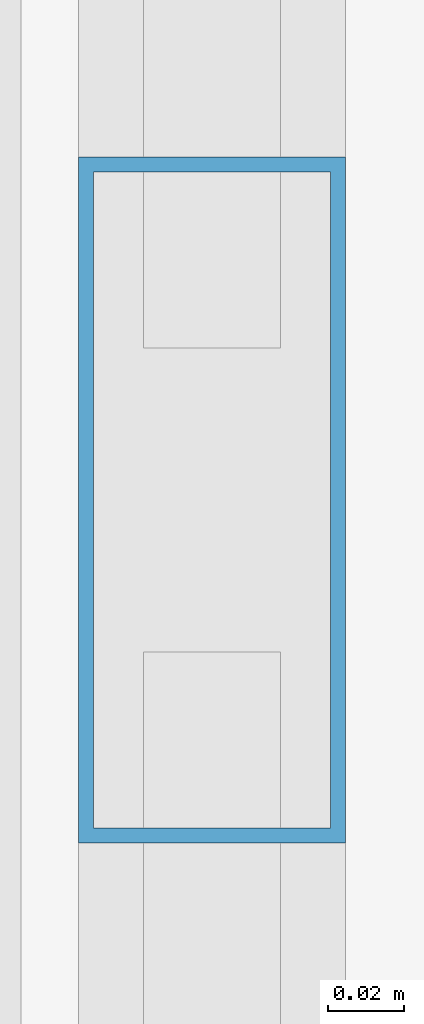
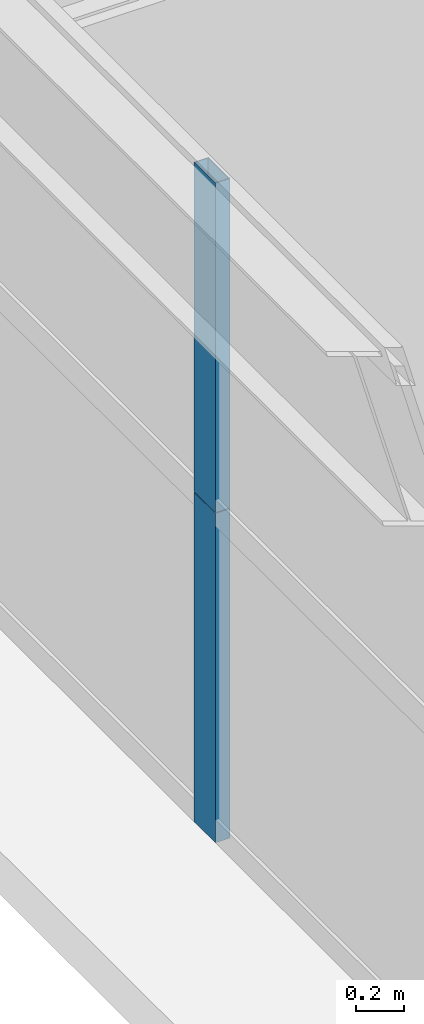
# One storey, part 8 of 39: 2 members, 1 element without a shape of its own.
"""IFC4 building model written with IfcOpenShell, lengths in metres."""

from ifc_helpers import new_model, si_unit, direction, frame, origin, origin_2d, place, context, subcontext, project, spatial, hollow_rectangle, extrude, source, transform, mapped, material, layer, layer_set, material_profile, profile_set, type_object, element, aggregate, save


model = new_model("IFC4")

# Units and contexts
model_context = context("Model", 3, precision=1e-05, world=origin(), true_north=direction((0.0, 1.0)))
body_context = subcontext(model_context, "Body", "Model", "MODEL_VIEW")
ifc_project = project(units=[si_unit("LENGTHUNIT", "METRE"), si_unit("AREAUNIT", "SQUARE_METRE"), si_unit("VOLUMEUNIT", "CUBIC_METRE"), si_unit("PLANEANGLEUNIT", "RADIAN"), si_unit("MASSUNIT", "GRAM", prefix="KILO"), si_unit("THERMODYNAMICTEMPERATUREUNIT", "KELVIN"), si_unit("POWERUNIT", "WATT")], contexts=[model_context])

# Site, building, storey
site_placement = place(None, origin())
site = spatial("IfcSite", under=ifc_project, at=site_placement, CompositionType="ELEMENT")
building_placement = place(site_placement, origin())
building = spatial("IfcBuilding", under=site, at=building_placement, Name="Yuzanri Waterfront Tower", CompositionType="ELEMENT")
storey_placement = place(building_placement, frame((0.0, 0.0, 156.0)))
storey = spatial("IfcBuildingStorey", under=building, at=storey_placement, Name="L41", CompositionType="ELEMENT", Elevation=156.0)

# Curtain wall, members
ifc_material_1 = material(Name="Anodized Architectural Bronze", Category="metal")
ifc_layer = layer(ifc_material_1, 0.159912109375)
ifc_layer_set = layer_set([ifc_layer], Name="Anodized Architectural Bronze")
curtain_wall_type = type_object("IfcCurtainWallType", Name="Anodized Bronze Hotel Upper-Tier Solar-Control Unitized Curtain Wall 7800", PredefinedType="NOTDEFINED", material=ifc_layer_set)
curtain_wall_placement = place(storey_placement, origin())
curtain_wall = element("IfcCurtainWall", 1, at=curtain_wall_placement, inside=storey, type_object=curtain_wall_type, Name="L41 Curtain Wall CW-L41-WL", PredefinedType="NOTDEFINED")
ifc_material_2 = material(Name="Anodized Architectural Bronze", Category="metal")
ifc_material_profile = material_profile(ifc_material_2, hollow_rectangle(XDim=0.070068359375, YDim=0.179931640625, WallThickness=0.00390625, at=origin_2d()), Name="CWM 70x180")
ifc_profile_set = profile_set([ifc_material_profile], Name="Anodized Architectural Bronze")
member_type = type_object("IfcMemberType", Name="Anodized Bronze Standard Curtain-Wall Mullion 70x180", PredefinedType="MULLION", material=ifc_profile_set)
shared_shape = source(origin(), body_context, "Body", "SweptSolid", [
    extrude(hollow_rectangle(XDim=0.070068359375, YDim=0.179931640625, WallThickness=0.00390625, at=origin_2d()), origin(), (0.0, 0.0, 1.0), 1.68798828125),
])
member_1_placement = place(storey_placement, frame((13.550048828125, 17.449951171875, 0.0), z_axis=(0.0, 0.0, 1.0), x_axis=(1.0, 0.0, 0.0)))
member_1 = element("IfcMember", 2, at=member_1_placement, type_object=member_type, Name="CW-L41-WL Lower Mullion 01", PredefinedType="MULLION", context=body_context, shape_type="MappedRepresentation", body=[
    mapped(shared_shape, transform((0.0, 0.0, 0.0), scale=1.0)),
])
member_2_placement = place(storey_placement, frame((13.550048828125, 17.449951171875, 1.69189453125), z_axis=(0.0, 0.0, 1.0), x_axis=(1.0, 0.0, 0.0)))
member_2 = element("IfcMember", 3, at=member_2_placement, type_object=member_type, Name="CW-L41-WL Upper Mullion 01", PredefinedType="MULLION", context=body_context, shape_type="MappedRepresentation", body=[
    mapped(shared_shape, transform((0.0, 0.0, 0.0), scale=1.0)),
])
aggregate(curtain_wall, [member_1, member_2])

save(model, "model.ifc")
